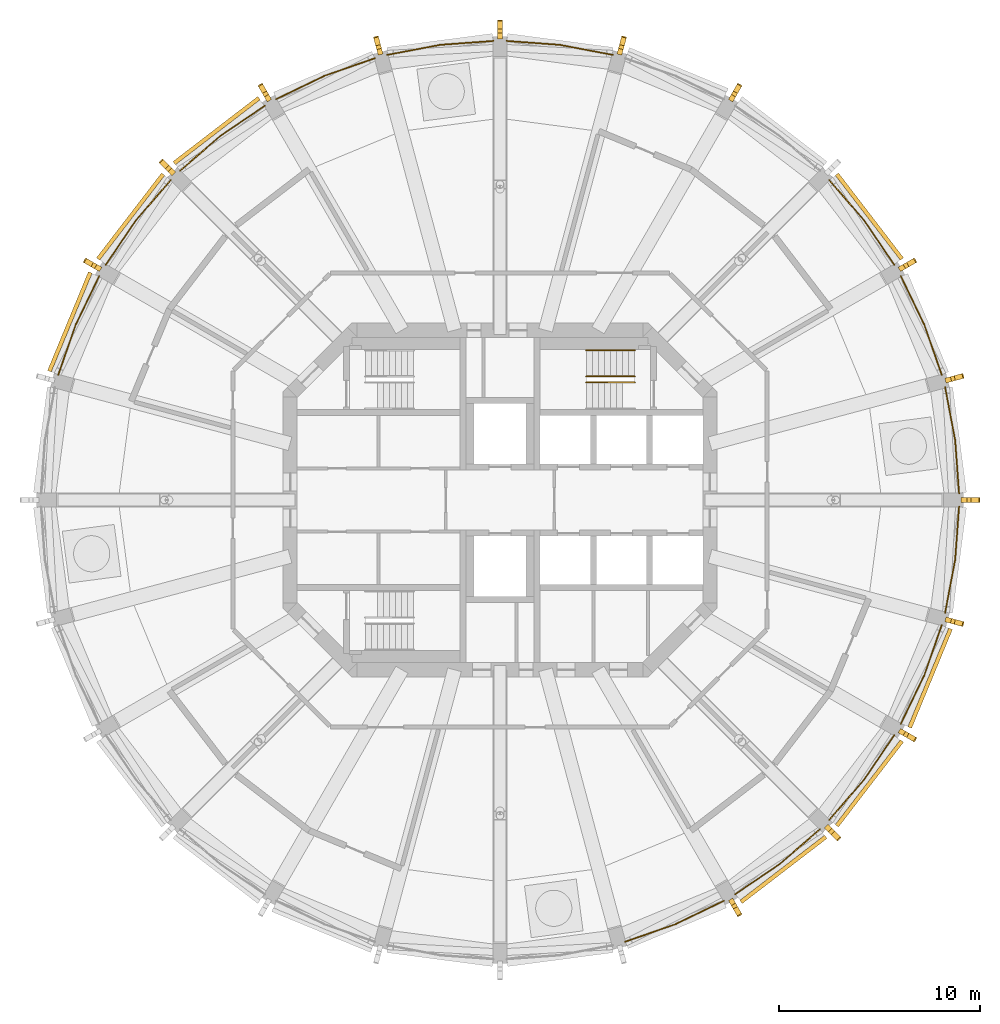
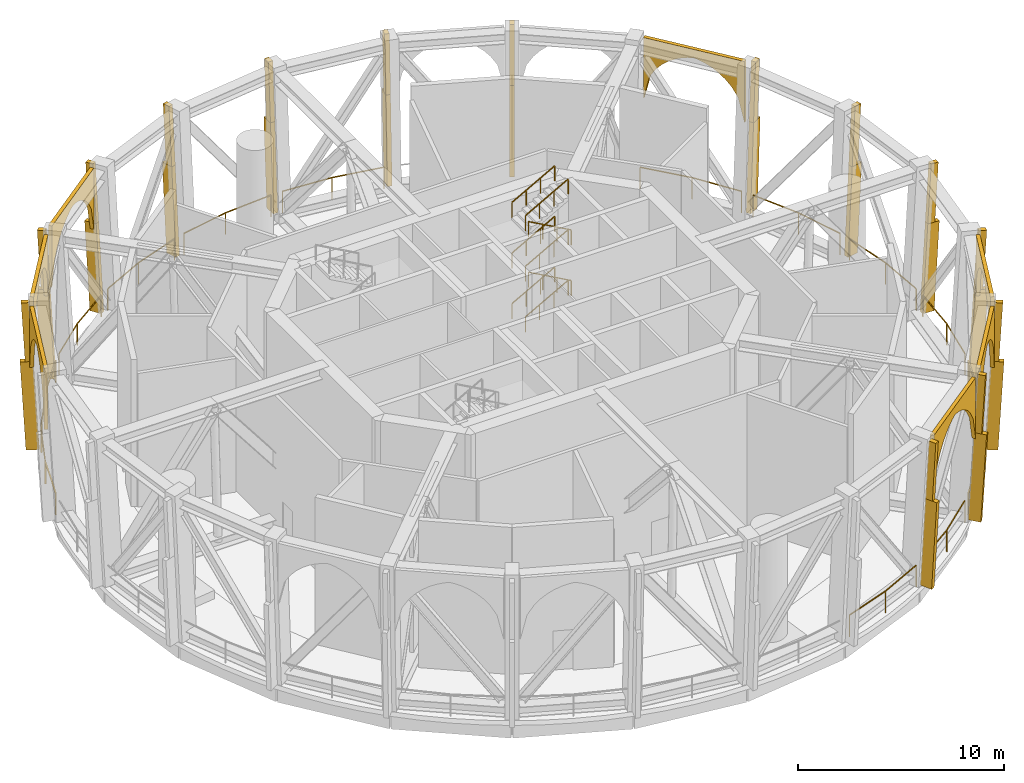
# One storey, part 10 of 12: 35 coverings, 22 railings.
"""IFC4 building model written with IfcOpenShell, lengths in metres."""

from ifc_helpers import new_model, si_unit, direction, frame, origin, origin_2d, place, context, subcontext, project, spatial, polyline, rectangle, outline, extrude, material, layer, layer_set, material_profile, profile_set, type_object, element, save


model = new_model("IFC4")

# Units and contexts
model_context = context("Model", 3, precision=1e-05, world=origin(), true_north=direction((0.0, 1.0)))
body_context = subcontext(model_context, "Body", "Model", "MODEL_VIEW")
ifc_project = project(units=[si_unit("LENGTHUNIT", "METRE"), si_unit("AREAUNIT", "SQUARE_METRE"), si_unit("VOLUMEUNIT", "CUBIC_METRE"), si_unit("PLANEANGLEUNIT", "RADIAN"), si_unit("MASSUNIT", "GRAM", prefix="KILO")], contexts=[model_context])

# Site, building, storey
site_placement = place(None, origin())
site = spatial("IfcSite", under=ifc_project, at=site_placement, CompositionType="ELEMENT")
building_placement = place(site_placement, origin())
building = spatial("IfcBuilding", under=site, at=building_placement, Name="Torre Triforio", CompositionType="ELEMENT")
storey_placement = place(building_placement, frame((0.0, 0.0, 183.800048828125)))
storey = spatial("IfcBuildingStorey", under=building, at=storey_placement, Name="L42", CompositionType="ELEMENT", Elevation=183.800048828125)

# Railings
ifc_material_1 = material(Name="Stainless steel AISI 316", Category="steel")
railing_type_1 = type_object("IfcRailingType", Name="HANDRAIL 920", PredefinedType="HANDRAIL", material=ifc_material_1)
for number, where, name in (
    (1, (4.300048828125, 7.449951171875, 1.66650390625), "Handrail ST2"),
    (2, (4.300048828125, 6.14990234375, 1.66650390625), "Handrail ST2"),
):
    element("IfcRailing", number, at=place(storey_placement, frame(where)), inside=storey, type_object=railing_type_1, Name=name, PredefinedType="HANDRAIL", context=body_context, shape_type="SweptSolid", body=[
        extrude(rectangle(XDim=0.048095703125, YDim=0.048095703125, at=origin_2d()), frame((0.0, 0.0, 0.89599609375), z_axis=(0.874123717778, 0.0, 0.485703331282), x_axis=(0.0, 1.0, 0.0)), (0.0, 0.0, 1.0), 2.74560546875),
        extrude(rectangle(XDim=0.0419921875, YDim=0.0419921875, at=origin_2d()), origin(), (0.0, 0.0, 1.0), 0.871826171875),
        extrude(rectangle(XDim=0.0419921875, YDim=0.0419921875, at=origin_2d()), frame((0.800048828125, 0.0, 0.444580078125)), (0.0, 0.0, 1.0), 0.871826171875),
        extrude(rectangle(XDim=0.0419921875, YDim=0.0419921875, at=origin_2d()), frame((1.599853515625, 0.0, 0.888916015625)), (0.0, 0.0, 1.0), 0.871826171875),
        extrude(rectangle(XDim=0.0419921875, YDim=0.0419921875, at=origin_2d()), frame((2.39990234375, 0.0, 1.33349609375)), (0.0, 0.0, 1.0), 0.871826171875),
    ])
railing_1_placement = place(storey_placement, frame((6.699951171875, 5.85009765625, 3.16650390625)))
element("IfcRailing", 3, at=railing_1_placement, inside=storey, type_object=railing_type_1, Name="Handrail ST2", PredefinedType="HANDRAIL", context=body_context, shape_type="SweptSolid", body=[
    extrude(rectangle(XDim=0.048095703125, YDim=0.048095703125, at=origin_2d()), frame((0.0, 0.0, 0.89599609375), z_axis=(-0.874123717778, 0.0, 0.485703331282), x_axis=(0.0, -1.0, 0.0)), (0.0, 0.0, 1.0), 2.74560546875),
    extrude(rectangle(XDim=0.0419921875, YDim=0.0419921875, at=origin_2d()), origin(), (0.0, 0.0, 1.0), 0.871826171875),
    extrude(rectangle(XDim=0.0419921875, YDim=0.0419921875, at=origin_2d()), frame((-0.800048828125, 0.0, 0.444580078125)), (0.0, 0.0, 1.0), 0.871826171875),
    extrude(rectangle(XDim=0.0419921875, YDim=0.0419921875, at=origin_2d()), frame((-1.599853515625, 0.0, 0.888916015625)), (0.0, 0.0, 1.0), 0.871826171875),
    extrude(rectangle(XDim=0.0419921875, YDim=0.0419921875, at=origin_2d()), frame((-2.39990234375, 0.0, 1.33349609375)), (0.0, 0.0, 1.0), 0.871826171875),
])
for number, where, name in (
    (4, (4.300048828125, 7.449951171875, 4.66650390625), "Handrail ST2"),
    (5, (4.300048828125, 6.14990234375, 4.66650390625), "Handrail ST2"),
):
    element("IfcRailing", number, at=place(storey_placement, frame(where)), inside=storey, type_object=railing_type_1, Name=name, PredefinedType="HANDRAIL", context=body_context, shape_type="SweptSolid", body=[
        extrude(rectangle(XDim=0.048095703125, YDim=0.048095703125, at=origin_2d()), frame((0.0, 0.0, 0.89599609375), z_axis=(0.874123717778, 0.0, 0.485703331282), x_axis=(0.0, 1.0, 0.0)), (0.0, 0.0, 1.0), 2.74560546875),
        extrude(rectangle(XDim=0.0419921875, YDim=0.0419921875, at=origin_2d()), origin(), (0.0, 0.0, 1.0), 0.871826171875),
        extrude(rectangle(XDim=0.0419921875, YDim=0.0419921875, at=origin_2d()), frame((0.800048828125, 0.0, 0.444580078125)), (0.0, 0.0, 1.0), 0.871826171875),
        extrude(rectangle(XDim=0.0419921875, YDim=0.0419921875, at=origin_2d()), frame((1.599853515625, 0.0, 0.888916015625)), (0.0, 0.0, 1.0), 0.871826171875),
        extrude(rectangle(XDim=0.0419921875, YDim=0.0419921875, at=origin_2d()), frame((2.39990234375, 0.0, 1.33349609375)), (0.0, 0.0, 1.0), 0.871826171875),
    ])
railing_2_placement = place(storey_placement, frame((6.699951171875, 5.85009765625, 6.16650390625)))
element("IfcRailing", 6, at=railing_2_placement, inside=storey, type_object=railing_type_1, Name="Handrail ST2", PredefinedType="HANDRAIL", context=body_context, shape_type="SweptSolid", body=[
    extrude(rectangle(XDim=0.048095703125, YDim=0.048095703125, at=origin_2d()), frame((0.0, 0.0, 0.89599609375), z_axis=(-0.874123717778, 0.0, 0.485703331282), x_axis=(0.0, -1.0, 0.0)), (0.0, 0.0, 1.0), 2.74560546875),
    extrude(rectangle(XDim=0.0419921875, YDim=0.0419921875, at=origin_2d()), origin(), (0.0, 0.0, 1.0), 0.871826171875),
    extrude(rectangle(XDim=0.0419921875, YDim=0.0419921875, at=origin_2d()), frame((-0.800048828125, 0.0, 0.444580078125)), (0.0, 0.0, 1.0), 0.871826171875),
    extrude(rectangle(XDim=0.0419921875, YDim=0.0419921875, at=origin_2d()), frame((-1.599853515625, 0.0, 0.888916015625)), (0.0, 0.0, 1.0), 0.871826171875),
    extrude(rectangle(XDim=0.0419921875, YDim=0.0419921875, at=origin_2d()), frame((-2.39990234375, 0.0, 1.33349609375)), (0.0, 0.0, 1.0), 0.871826171875),
])
for number, where, name in (
    (7, (4.300048828125, 7.449951171875, 7.66650390625), "Handrail ST2"),
    (8, (4.300048828125, 6.14990234375, 7.66650390625), "Handrail ST2"),
):
    element("IfcRailing", number, at=place(storey_placement, frame(where)), inside=storey, type_object=railing_type_1, Name=name, PredefinedType="HANDRAIL", context=body_context, shape_type="SweptSolid", body=[
        extrude(rectangle(XDim=0.048095703125, YDim=0.048095703125, at=origin_2d()), frame((0.0, 0.0, 0.89599609375), z_axis=(0.874123717778, 0.0, 0.485703331282), x_axis=(0.0, 1.0, 0.0)), (0.0, 0.0, 1.0), 2.74560546875),
        extrude(rectangle(XDim=0.0419921875, YDim=0.0419921875, at=origin_2d()), origin(), (0.0, 0.0, 1.0), 0.871826171875),
        extrude(rectangle(XDim=0.0419921875, YDim=0.0419921875, at=origin_2d()), frame((0.800048828125, 0.0, 0.444580078125)), (0.0, 0.0, 1.0), 0.871826171875),
        extrude(rectangle(XDim=0.0419921875, YDim=0.0419921875, at=origin_2d()), frame((1.599853515625, 0.0, 0.888916015625)), (0.0, 0.0, 1.0), 0.871826171875),
        extrude(rectangle(XDim=0.0419921875, YDim=0.0419921875, at=origin_2d()), frame((2.39990234375, 0.0, 1.33349609375)), (0.0, 0.0, 1.0), 0.871826171875),
    ])

# Coverings
ifc_material_2 = material(Name="Limestone arch panel", Category="masonry")
ifc_layer = layer(ifc_material_2, 0.199951171875)
ifc_layer_set = layer_set([ifc_layer], Name="Limestone arch panel")
covering_type_1 = type_object("IfcCoveringType", Name="Lancet arch cladding panel 200", PredefinedType="CLADDING", material=ifc_layer_set)
for number, where, z_axis, x_axis, name in (
    (9, (18.305908203125, 14.046630859375, 0.0), (0.793213368033, 0.608943800998, 0.0), (-0.608943800998, 0.793213368033, 0.0), "Lancet arch panel L42 bay 03"),
    (10, (-14.046630859375, 18.305908203125, 0.0), (-0.608943800998, 0.793213368033, 0.0), (-0.793213368033, -0.608943800998, 0.0), "Lancet arch panel L42 bay 09"),
    (11, (-18.305908203125, 14.046630859375, 0.0), (-0.793213368033, 0.608943800998, 0.0), (-0.608943800998, -0.793213368033, 0.0), "Lancet arch panel L42 bay 10"),
    (12, (-21.317626953125, 8.830078125, 0.0), (-0.924120904221, 0.382100188932, 0.0), (-0.382100188932, -0.924120904221, 0.0), "Lancet arch panel L42 bay 11"),
    (13, (14.046630859375, -18.305908203125, 0.0), (0.608943800998, -0.793213368033, 0.0), (0.793213368033, 0.608943800998, 0.0), "Lancet arch panel L42 bay 21"),
    (14, (18.305908203125, -14.046630859375, 0.0), (0.793213368033, -0.608943800998, 0.0), (0.608943800998, 0.793213368033, 0.0), "Lancet arch panel L42 bay 22"),
    (15, (21.317626953125, -8.830078125, 0.0), (0.924120904221, -0.382100188932, 0.0), (0.382100188932, 0.924120904221, 0.0), "Lancet arch panel L42 bay 23"),
):
    element("IfcCovering", number, at=place(storey_placement, frame(where, z_axis=z_axis, x_axis=x_axis)), inside=storey, type_object=covering_type_1, Name=name, PredefinedType="CLADDING", context=body_context, shape_type="SweptSolid", body=[
        extrude(outline(polyline([(-2.65869140625, 8.719970703125), (-2.65869140625, 5.082763671875), (-2.326416015625, 6.498046875), (-1.994140625, 7.028564453125), (-1.66162109375, 7.395263671875), (-1.329345703125, 7.6689453125), (-0.9970703125, 7.877197265625), (-0.664794921875, 8.033447265625), (-0.332275390625, 8.146240234375), (0.0, 8.219970703125), (0.332275390625, 8.146240234375), (0.664794921875, 8.033447265625), (0.9970703125, 7.877197265625), (1.329345703125, 7.6689453125), (1.66162109375, 7.395263671875), (1.994140625, 7.028564453125), (2.326416015625, 6.498046875), (2.65869140625, 5.082763671875), (2.65869140625, 8.719970703125), (-2.65869140625, 8.719970703125)])), origin(), (0.0, 0.0, 1.0), 0.199951171875),
    ])

# Railings
railing_type_2 = type_object("IfcRailingType", Name="Loggia guard 1300", PredefinedType="GUARDRAIL", material=ifc_material_1)
railing_3_placement = place(storey_placement, frame((22.85009765625, 0.320068359375, 0.0)))
element("IfcRailing", 16, at=railing_3_placement, inside=storey, type_object=railing_type_2, Name="Loggia guard L42 bay 01", PredefinedType="GUARDRAIL", context=body_context, shape_type="SweptSolid", body=[
    extrude(rectangle(XDim=0.050048828125, YDim=0.050048828125, at=origin_2d()), frame((0.0, 0.0, 1.27490234375), z_axis=(-0.073255194528, 0.997313228868, 0.0), x_axis=(-0.997313228868, -0.073255194528, 0.0)), (0.0, 0.0, 1.0), 2.66943359375),
    extrude(rectangle(XDim=0.050048828125, YDim=0.050048828125, at=origin_2d()), frame((-0.195556640625, 2.662353515625, 1.27490234375), z_axis=(-0.187368424401, 0.982289709575, 0.0), x_axis=(-0.982289709575, -0.187368424401, 0.0)), (0.0, 0.0, 1.0), 2.669921875),
    extrude(rectangle(XDim=0.0400390625, YDim=0.0400390625, at=origin_2d()), origin(), (0.0, 0.0, 1.0), 1.25),
    extrude(rectangle(XDim=0.0400390625, YDim=0.0400390625, at=origin_2d()), frame((-0.195556640625, 2.662353515625, 0.0)), (0.0, 0.0, 1.0), 1.25),
    extrude(rectangle(XDim=0.0400390625, YDim=0.0400390625, at=origin_2d()), frame((-0.69580078125, 5.284912109375, 0.0)), (0.0, 0.0, 1.0), 1.25),
])
railing_4_placement = place(storey_placement, frame((21.988525390625, 6.22314453125, 0.0)))
element("IfcRailing", 17, at=railing_4_placement, inside=storey, type_object=railing_type_2, Name="Loggia guard L42 bay 02", PredefinedType="GUARDRAIL", context=body_context, shape_type="SweptSolid", body=[
    extrude(rectangle(XDim=0.050048828125, YDim=0.050048828125, at=origin_2d()), frame((0.0, 0.0, 1.27490234375), z_axis=(-0.328846918852, 0.944383239984, 0.0), x_axis=(-0.944383239984, -0.328846918852, 0.0)), (0.0, 0.0, 1.0), 2.669677734375),
    extrude(rectangle(XDim=0.050048828125, YDim=0.050048828125, at=origin_2d()), frame((-0.8779296875, 2.521240234375, 1.27490234375), z_axis=(-0.435211903812, 0.900328050646, 0.0), x_axis=(-0.900328050646, -0.435211903812, 0.0)), (0.0, 0.0, 1.0), 2.669677734375),
    extrude(rectangle(XDim=0.0400390625, YDim=0.0400390625, at=origin_2d()), origin(), (0.0, 0.0, 1.0), 1.25),
    extrude(rectangle(XDim=0.0400390625, YDim=0.0400390625, at=origin_2d()), frame((-0.8779296875, 2.521240234375, 0.0)), (0.0, 0.0, 1.0), 1.25),
    extrude(rectangle(XDim=0.0400390625, YDim=0.0400390625, at=origin_2d()), frame((-2.039794921875, 4.9248046875, 0.0)), (0.0, 0.0, 1.0), 1.25),
])
railing_5_placement = place(storey_placement, frame((19.628662109375, 11.7021484375, 0.0)))
element("IfcRailing", 18, at=railing_5_placement, inside=storey, type_object=railing_type_2, Name="Loggia guard L42 bay 03", PredefinedType="GUARDRAIL", context=body_context, shape_type="SweptSolid", body=[
    extrude(rectangle(XDim=0.050048828125, YDim=0.050048828125, at=origin_2d()), frame((0.0, 0.0, 1.27490234375), z_axis=(-0.562064856935, 0.827093160774, 0.0), x_axis=(-0.827093160774, -0.562064856935, 0.0)), (0.0, 0.0, 1.0), 2.669677734375),
    extrude(rectangle(XDim=0.050048828125, YDim=0.050048828125, at=origin_2d()), frame((-1.50048828125, 2.2080078125, 1.27490234375), z_axis=(-0.653400799038, 0.757012150376, 0.0), x_axis=(-0.757012150376, -0.653400799038, 0.0)), (0.0, 0.0, 1.0), 2.669677734375),
    extrude(rectangle(XDim=0.0400390625, YDim=0.0400390625, at=origin_2d()), origin(), (0.0, 0.0, 1.0), 1.25),
    extrude(rectangle(XDim=0.0400390625, YDim=0.0400390625, at=origin_2d()), frame((-1.50048828125, 2.2080078125, 0.0)), (0.0, 0.0, 1.0), 1.25),
    extrude(rectangle(XDim=0.0400390625, YDim=0.0400390625, at=origin_2d()), frame((-3.244873046875, 4.22900390625, 0.0)), (0.0, 0.0, 1.0), 1.25),
])
railing_6_placement = place(storey_placement, frame((5.60498046875, 22.154296875, 0.0)))
element("IfcRailing", 19, at=railing_6_placement, inside=storey, type_object=railing_type_2, Name="Loggia guard L42 bay 06", PredefinedType="GUARDRAIL", context=body_context, shape_type="SweptSolid", body=[
    extrude(rectangle(XDim=0.050048828125, YDim=0.050048828125, at=origin_2d()), frame((0.0, 0.0, 1.27490234375), z_axis=(-0.982289709575, 0.187368424401, 0.0), x_axis=(-0.187368424401, -0.982289709575, 0.0)), (0.0, 0.0, 1.0), 2.669921875),
    extrude(rectangle(XDim=0.050048828125, YDim=0.050048828125, at=origin_2d()), frame((-2.62255859375, 0.500244140625, 1.27490234375), z_axis=(-0.997313228868, 0.073255194528, 0.0), x_axis=(-0.073255194528, -0.997313228868, 0.0)), (0.0, 0.0, 1.0), 2.66943359375),
    extrude(rectangle(XDim=0.0400390625, YDim=0.0400390625, at=origin_2d()), origin(), (0.0, 0.0, 1.0), 1.25),
    extrude(rectangle(XDim=0.0400390625, YDim=0.0400390625, at=origin_2d()), frame((-2.62255859375, 0.500244140625, 0.0)), (0.0, 0.0, 1.0), 1.25),
    extrude(rectangle(XDim=0.0400390625, YDim=0.0400390625, at=origin_2d()), frame((-5.284912109375, 0.69580078125, 0.0)), (0.0, 0.0, 1.0), 1.25),
])
railing_7_placement = place(storey_placement, frame((-0.320068359375, 22.85009765625, 0.0)))
element("IfcRailing", 20, at=railing_7_placement, inside=storey, type_object=railing_type_2, Name="Loggia guard L42 bay 07", PredefinedType="GUARDRAIL", context=body_context, shape_type="SweptSolid", body=[
    extrude(rectangle(XDim=0.050048828125, YDim=0.050048828125, at=origin_2d()), frame((0.0, 0.0, 1.27490234375), z_axis=(-0.997313228868, -0.073255194528, 0.0), x_axis=(0.073255194528, -0.997313228868, 0.0)), (0.0, 0.0, 1.0), 2.66943359375),
    extrude(rectangle(XDim=0.050048828125, YDim=0.050048828125, at=origin_2d()), frame((-2.662353515625, -0.195556640625, 1.27490234375), z_axis=(-0.982289709575, -0.187368424401, 0.0), x_axis=(0.187368424401, -0.982289709575, 0.0)), (0.0, 0.0, 1.0), 2.669921875),
    extrude(rectangle(XDim=0.0400390625, YDim=0.0400390625, at=origin_2d()), origin(), (0.0, 0.0, 1.0), 1.25),
    extrude(rectangle(XDim=0.0400390625, YDim=0.0400390625, at=origin_2d()), frame((-2.662353515625, -0.195556640625, 0.0)), (0.0, 0.0, 1.0), 1.25),
    extrude(rectangle(XDim=0.0400390625, YDim=0.0400390625, at=origin_2d()), frame((-5.284912109375, -0.69580078125, 0.0)), (0.0, 0.0, 1.0), 1.25),
])
railing_8_placement = place(storey_placement, frame((-6.22314453125, 21.988525390625, 0.0)))
element("IfcRailing", 21, at=railing_8_placement, inside=storey, type_object=railing_type_2, Name="Loggia guard L42 bay 08", PredefinedType="GUARDRAIL", context=body_context, shape_type="SweptSolid", body=[
    extrude(rectangle(XDim=0.050048828125, YDim=0.050048828125, at=origin_2d()), frame((0.0, 0.0, 1.27490234375), z_axis=(-0.944383239984, -0.328846918852, 0.0), x_axis=(0.328846918852, -0.944383239984, 0.0)), (0.0, 0.0, 1.0), 2.669677734375),
    extrude(rectangle(XDim=0.050048828125, YDim=0.050048828125, at=origin_2d()), frame((-2.521240234375, -0.8779296875, 1.27490234375), z_axis=(-0.900328050646, -0.435211903812, 0.0), x_axis=(0.435211903812, -0.900328050646, 0.0)), (0.0, 0.0, 1.0), 2.669677734375),
    extrude(rectangle(XDim=0.0400390625, YDim=0.0400390625, at=origin_2d()), origin(), (0.0, 0.0, 1.0), 1.25),
    extrude(rectangle(XDim=0.0400390625, YDim=0.0400390625, at=origin_2d()), frame((-2.521240234375, -0.8779296875, 0.0)), (0.0, 0.0, 1.0), 1.25),
    extrude(rectangle(XDim=0.0400390625, YDim=0.0400390625, at=origin_2d()), frame((-4.9248046875, -2.039794921875, 0.0)), (0.0, 0.0, 1.0), 1.25),
])
railing_9_placement = place(storey_placement, frame((-11.7021484375, 19.628662109375, 0.0)))
element("IfcRailing", 22, at=railing_9_placement, inside=storey, type_object=railing_type_2, Name="Loggia guard L42 bay 09", PredefinedType="GUARDRAIL", context=body_context, shape_type="SweptSolid", body=[
    extrude(rectangle(XDim=0.050048828125, YDim=0.050048828125, at=origin_2d()), frame((0.0, 0.0, 1.27490234375), z_axis=(-0.827093160774, -0.562064856935, 0.0), x_axis=(0.562064856935, -0.827093160774, 0.0)), (0.0, 0.0, 1.0), 2.669677734375),
    extrude(rectangle(XDim=0.050048828125, YDim=0.050048828125, at=origin_2d()), frame((-2.2080078125, -1.50048828125, 1.27490234375), z_axis=(-0.757012150376, -0.653400799038, 0.0), x_axis=(0.653400799038, -0.757012150376, 0.0)), (0.0, 0.0, 1.0), 2.669677734375),
    extrude(rectangle(XDim=0.0400390625, YDim=0.0400390625, at=origin_2d()), origin(), (0.0, 0.0, 1.0), 1.25),
    extrude(rectangle(XDim=0.0400390625, YDim=0.0400390625, at=origin_2d()), frame((-2.2080078125, -1.50048828125, 0.0)), (0.0, 0.0, 1.0), 1.25),
    extrude(rectangle(XDim=0.0400390625, YDim=0.0400390625, at=origin_2d()), frame((-4.22900390625, -3.244873046875, 0.0)), (0.0, 0.0, 1.0), 1.25),
])
railing_10_placement = place(storey_placement, frame((-16.3837890625, 15.93115234375, 0.0)))
element("IfcRailing", 23, at=railing_10_placement, inside=storey, type_object=railing_type_2, Name="Loggia guard L42 bay 10", PredefinedType="GUARDRAIL", context=body_context, shape_type="SweptSolid", body=[
    extrude(rectangle(XDim=0.050048828125, YDim=0.050048828125, at=origin_2d()), frame((0.0, 0.0, 1.27490234375), z_axis=(-0.653400799038, -0.757012150376, 0.0), x_axis=(0.757012150376, -0.653400799038, 0.0)), (0.0, 0.0, 1.0), 2.669677734375),
    extrude(rectangle(XDim=0.050048828125, YDim=0.050048828125, at=origin_2d()), frame((-1.744384765625, -2.02099609375, 1.27490234375), z_axis=(-0.562064856935, -0.827093160774, 0.0), x_axis=(0.827093160774, -0.562064856935, 0.0)), (0.0, 0.0, 1.0), 2.669677734375),
    extrude(rectangle(XDim=0.0400390625, YDim=0.0400390625, at=origin_2d()), origin(), (0.0, 0.0, 1.0), 1.25),
    extrude(rectangle(XDim=0.0400390625, YDim=0.0400390625, at=origin_2d()), frame((-1.744384765625, -2.02099609375, 0.0)), (0.0, 0.0, 1.0), 1.25),
    extrude(rectangle(XDim=0.0400390625, YDim=0.0400390625, at=origin_2d()), frame((-3.244873046875, -4.22900390625, 0.0)), (0.0, 0.0, 1.0), 1.25),
])
railing_11_placement = place(storey_placement, frame((-19.94873046875, 11.14794921875, 0.0)))
element("IfcRailing", 24, at=railing_11_placement, inside=storey, type_object=railing_type_2, Name="Loggia guard L42 bay 11", PredefinedType="GUARDRAIL", context=body_context, shape_type="SweptSolid", body=[
    extrude(rectangle(XDim=0.050048828125, YDim=0.050048828125, at=origin_2d()), frame((0.0, 0.0, 1.27490234375), z_axis=(-0.435211903812, -0.900328050646, 0.0), x_axis=(0.900328050646, -0.435211903812, 0.0)), (0.0, 0.0, 1.0), 2.669677734375),
    extrude(rectangle(XDim=0.050048828125, YDim=0.050048828125, at=origin_2d()), frame((-1.161865234375, -2.403564453125, 1.27490234375), z_axis=(-0.328846918852, -0.944383239984, 0.0), x_axis=(0.944383239984, -0.328846918852, 0.0)), (0.0, 0.0, 1.0), 2.669677734375),
    extrude(rectangle(XDim=0.0400390625, YDim=0.0400390625, at=origin_2d()), origin(), (0.0, 0.0, 1.0), 1.25),
    extrude(rectangle(XDim=0.0400390625, YDim=0.0400390625, at=origin_2d()), frame((-1.161865234375, -2.403564453125, 0.0)), (0.0, 0.0, 1.0), 1.25),
    extrude(rectangle(XDim=0.0400390625, YDim=0.0400390625, at=origin_2d()), frame((-2.039794921875, -4.9248046875, 0.0)), (0.0, 0.0, 1.0), 1.25),
])
railing_12_placement = place(storey_placement, frame((6.22314453125, -21.988525390625, 0.0)))
element("IfcRailing", 25, at=railing_12_placement, inside=storey, type_object=railing_type_2, Name="Loggia guard L42 bay 20", PredefinedType="GUARDRAIL", context=body_context, shape_type="SweptSolid", body=[
    extrude(rectangle(XDim=0.050048828125, YDim=0.050048828125, at=origin_2d()), frame((0.0, 0.0, 1.27490234375), z_axis=(0.944383239984, 0.328846918852, 0.0), x_axis=(-0.328846918852, 0.944383239984, 0.0)), (0.0, 0.0, 1.0), 2.669677734375),
    extrude(rectangle(XDim=0.050048828125, YDim=0.050048828125, at=origin_2d()), frame((2.521240234375, 0.8779296875, 1.27490234375), z_axis=(0.900328050646, 0.435211903812, 0.0), x_axis=(-0.435211903812, 0.900328050646, 0.0)), (0.0, 0.0, 1.0), 2.669677734375),
    extrude(rectangle(XDim=0.0400390625, YDim=0.0400390625, at=origin_2d()), origin(), (0.0, 0.0, 1.0), 1.25),
    extrude(rectangle(XDim=0.0400390625, YDim=0.0400390625, at=origin_2d()), frame((2.521240234375, 0.8779296875, 0.0)), (0.0, 0.0, 1.0), 1.25),
    extrude(rectangle(XDim=0.0400390625, YDim=0.0400390625, at=origin_2d()), frame((4.9248046875, 2.039794921875, 0.0)), (0.0, 0.0, 1.0), 1.25),
])
railing_13_placement = place(storey_placement, frame((11.7021484375, -19.628662109375, 0.0)))
element("IfcRailing", 26, at=railing_13_placement, inside=storey, type_object=railing_type_2, Name="Loggia guard L42 bay 21", PredefinedType="GUARDRAIL", context=body_context, shape_type="SweptSolid", body=[
    extrude(rectangle(XDim=0.050048828125, YDim=0.050048828125, at=origin_2d()), frame((0.0, 0.0, 1.27490234375), z_axis=(0.827093160774, 0.562064856935, 0.0), x_axis=(-0.562064856935, 0.827093160774, 0.0)), (0.0, 0.0, 1.0), 2.669677734375),
    extrude(rectangle(XDim=0.050048828125, YDim=0.050048828125, at=origin_2d()), frame((2.2080078125, 1.50048828125, 1.27490234375), z_axis=(0.757012150376, 0.653400799038, 0.0), x_axis=(-0.653400799038, 0.757012150376, 0.0)), (0.0, 0.0, 1.0), 2.669677734375),
    extrude(rectangle(XDim=0.0400390625, YDim=0.0400390625, at=origin_2d()), origin(), (0.0, 0.0, 1.0), 1.25),
    extrude(rectangle(XDim=0.0400390625, YDim=0.0400390625, at=origin_2d()), frame((2.2080078125, 1.50048828125, 0.0)), (0.0, 0.0, 1.0), 1.25),
    extrude(rectangle(XDim=0.0400390625, YDim=0.0400390625, at=origin_2d()), frame((4.22900390625, 3.244873046875, 0.0)), (0.0, 0.0, 1.0), 1.25),
])
railing_14_placement = place(storey_placement, frame((16.3837890625, -15.93115234375, 0.0)))
element("IfcRailing", 27, at=railing_14_placement, inside=storey, type_object=railing_type_2, Name="Loggia guard L42 bay 22", PredefinedType="GUARDRAIL", context=body_context, shape_type="SweptSolid", body=[
    extrude(rectangle(XDim=0.050048828125, YDim=0.050048828125, at=origin_2d()), frame((0.0, 0.0, 1.27490234375), z_axis=(0.653400799038, 0.757012150376, 0.0), x_axis=(-0.757012150376, 0.653400799038, 0.0)), (0.0, 0.0, 1.0), 2.669677734375),
    extrude(rectangle(XDim=0.050048828125, YDim=0.050048828125, at=origin_2d()), frame((1.744384765625, 2.02099609375, 1.27490234375), z_axis=(0.562064856935, 0.827093160774, 0.0), x_axis=(-0.827093160774, 0.562064856935, 0.0)), (0.0, 0.0, 1.0), 2.669677734375),
    extrude(rectangle(XDim=0.0400390625, YDim=0.0400390625, at=origin_2d()), origin(), (0.0, 0.0, 1.0), 1.25),
    extrude(rectangle(XDim=0.0400390625, YDim=0.0400390625, at=origin_2d()), frame((1.744384765625, 2.02099609375, 0.0)), (0.0, 0.0, 1.0), 1.25),
    extrude(rectangle(XDim=0.0400390625, YDim=0.0400390625, at=origin_2d()), frame((3.244873046875, 4.22900390625, 0.0)), (0.0, 0.0, 1.0), 1.25),
])
railing_15_placement = place(storey_placement, frame((19.94873046875, -11.14794921875, 0.0)))
element("IfcRailing", 28, at=railing_15_placement, inside=storey, type_object=railing_type_2, Name="Loggia guard L42 bay 23", PredefinedType="GUARDRAIL", context=body_context, shape_type="SweptSolid", body=[
    extrude(rectangle(XDim=0.050048828125, YDim=0.050048828125, at=origin_2d()), frame((0.0, 0.0, 1.27490234375), z_axis=(0.435211903812, 0.900328050646, 0.0), x_axis=(-0.900328050646, 0.435211903812, 0.0)), (0.0, 0.0, 1.0), 2.669677734375),
    extrude(rectangle(XDim=0.050048828125, YDim=0.050048828125, at=origin_2d()), frame((1.161865234375, 2.403564453125, 1.27490234375), z_axis=(0.328846918852, 0.944383239984, 0.0), x_axis=(-0.944383239984, 0.328846918852, 0.0)), (0.0, 0.0, 1.0), 2.669677734375),
    extrude(rectangle(XDim=0.0400390625, YDim=0.0400390625, at=origin_2d()), origin(), (0.0, 0.0, 1.0), 1.25),
    extrude(rectangle(XDim=0.0400390625, YDim=0.0400390625, at=origin_2d()), frame((1.161865234375, 2.403564453125, 0.0)), (0.0, 0.0, 1.0), 1.25),
    extrude(rectangle(XDim=0.0400390625, YDim=0.0400390625, at=origin_2d()), frame((2.039794921875, 4.9248046875, 0.0)), (0.0, 0.0, 1.0), 1.25),
])
railing_16_placement = place(storey_placement, frame((22.154296875, -5.60498046875, 0.0)))
element("IfcRailing", 29, at=railing_16_placement, inside=storey, type_object=railing_type_2, Name="Loggia guard L42 bay 24", PredefinedType="GUARDRAIL", context=body_context, shape_type="SweptSolid", body=[
    extrude(rectangle(XDim=0.050048828125, YDim=0.050048828125, at=origin_2d()), frame((0.0, 0.0, 1.27490234375), z_axis=(0.187368424401, 0.982289709575, 0.0), x_axis=(-0.982289709575, 0.187368424401, 0.0)), (0.0, 0.0, 1.0), 2.669921875),
    extrude(rectangle(XDim=0.050048828125, YDim=0.050048828125, at=origin_2d()), frame((0.500244140625, 2.62255859375, 1.27490234375), z_axis=(0.073255194528, 0.997313228868, 0.0), x_axis=(-0.997313228868, 0.073255194528, 0.0)), (0.0, 0.0, 1.0), 2.66943359375),
    extrude(rectangle(XDim=0.0400390625, YDim=0.0400390625, at=origin_2d()), origin(), (0.0, 0.0, 1.0), 1.25),
    extrude(rectangle(XDim=0.0400390625, YDim=0.0400390625, at=origin_2d()), frame((0.500244140625, 2.62255859375, 0.0)), (0.0, 0.0, 1.0), 1.25),
    extrude(rectangle(XDim=0.0400390625, YDim=0.0400390625, at=origin_2d()), frame((0.69580078125, 5.284912109375, 0.0)), (0.0, 0.0, 1.0), 1.25),
])

# Coverings
ifc_material_3 = material(Name="Limestone fin", Category="masonry")
ifc_material_profile_1 = material_profile(ifc_material_3, rectangle(XDim=0.39990234375, YDim=0.25, at=origin_2d()), Name="FIN 400x250")
ifc_profile_set_1 = profile_set([ifc_material_profile_1], Name="Limestone fin")
covering_type_2 = type_object("IfcCoveringType", Name="Stone fin 400 x 250", PredefinedType="CLADDING", material=ifc_profile_set_1)
for number, where, z_axis, x_axis, name in (
    (30, (23.441650390625, 0.0, 5.23193359375), (0.055489372619, 0.0, 0.998459277851), (-0.998459277851, 0.0, 0.055489372619), "Stone fin C01 L42 upper"),
    (31, (22.642822265625, 6.067138671875, 5.23193359375), (0.053602470376, 0.014326605511, 0.998459575318), (-0.96460025746, -0.257813628135, 0.055484019825), "Stone fin C02 L42 upper"),
    (32, (20.301025390625, 11.720703125, 5.23193359375), (0.048081410785, 0.027744651281, 0.998458017276), (-0.864808086683, -0.49902443374, 0.055512050384), "Stone fin C03 L42 upper"),
    (33, (11.720703125, 20.301025390625, 5.23193359375), (0.027744651281, 0.048081410785, 0.998458017276), (-0.49902443374, -0.864808086683, 0.055512050384), "Stone fin C05 L42 upper"),
    (34, (6.067138671875, 22.642822265625, 5.23193359375), (0.014326605511, 0.053602470376, 0.998459575318), (-0.257813628135, -0.96460025746, 0.055484019825), "Stone fin C06 L42 upper"),
    (35, (0.0, 23.441650390625, 5.23193359375), (0.0, 0.055489372619, 0.998459277851), (0.0, -0.998459277851, 0.055489372619), "Stone fin C07 L42 upper"),
    (36, (-6.067138671875, 22.642822265625, 5.23193359375), (-0.014326605511, 0.053602470376, 0.998459575318), (0.257813628135, -0.96460025746, 0.055484019825), "Stone fin C08 L42 upper"),
    (37, (-11.720703125, 20.301025390625, 5.23193359375), (-0.027744651281, 0.048081410785, 0.998458017276), (0.49902443374, -0.864808086683, 0.055512050384), "Stone fin C09 L42 upper"),
    (38, (-16.57568359375, 16.57568359375, 5.23193359375), (-0.039275733082, 0.039275733082, 0.99845622517), (0.706015167536, -0.706015167536, 0.055544274397), "Stone fin C10 L42 upper"),
    (39, (-20.301025390625, 11.720703125, 5.23193359375), (-0.048081410785, 0.027744651281, 0.998458017276), (0.864808086683, -0.49902443374, 0.055512050384), "Stone fin C11 L42 upper"),
    (40, (11.720703125, -20.301025390625, 5.23193359375), (0.027744651281, -0.048081410785, 0.998458017276), (-0.49902443374, 0.864808086683, 0.055512050384), "Stone fin C21 L42 upper"),
    (41, (16.57568359375, -16.57568359375, 5.23193359375), (0.039275733082, -0.039275733082, 0.99845622517), (-0.706015167536, 0.706015167536, 0.055544274397), "Stone fin C22 L42 upper"),
    (42, (20.301025390625, -11.720703125, 5.23193359375), (0.048081410785, -0.027744651281, 0.998458017276), (-0.864808086683, 0.49902443374, 0.055512050384), "Stone fin C23 L42 upper"),
    (43, (22.642822265625, -6.067138671875, 5.23193359375), (0.053602470376, -0.014326605511, 0.998459575318), (-0.96460025746, 0.257813628135, 0.055484019825), "Stone fin C24 L42 upper"),
):
    element("IfcCovering", number, at=place(storey_placement, frame(where, z_axis=z_axis, x_axis=x_axis)), inside=storey, type_object=covering_type_2, Name=name, PredefinedType="CLADDING", context=body_context, shape_type="SweptSolid", body=[
        extrude(rectangle(XDim=0.39990234375, YDim=0.25, at=origin_2d()), origin(), (0.0, 0.0, 1.0), 3.493408203125),
    ])
ifc_material_profile_2 = material_profile(ifc_material_3, rectangle(XDim=0.64990234375, YDim=0.25, at=origin_2d()), Name="FIN 650x250")
ifc_profile_set_2 = profile_set([ifc_material_profile_2], Name="Limestone fin")
covering_type_3 = type_object("IfcCoveringType", Name="Stone fin 650 x 250", PredefinedType="CLADDING", material=ifc_profile_set_2)
for number, where, z_axis, x_axis, name in (
    (44, (23.276123046875, 0.0, 0.0), (0.055490663299, 0.0, 0.99845920612), (-0.99845920612, 0.0, 0.055490663299), "Stone fin C01 L42"),
    (45, (22.483154296875, 6.0244140625, 0.0), (0.053580470328, 0.014350247705, 0.998460416637), (-0.964468379429, -0.258309792056, 0.055468877849), "Stone fin C02 L42"),
    (46, (20.15771484375, 11.63818359375, 0.0), (0.04803607615, 0.027722080804, 0.998460826284), (-0.86478254671, -0.499074311632, 0.05546150355), "Stone fin C03 L42"),
    (47, (11.63818359375, 20.15771484375, 0.0), (0.027722080804, 0.04803607615, 0.998460826284), (-0.499074311632, -0.86478254671, 0.05546150355), "Stone fin C05 L42"),
    (48, (6.0244140625, 22.483154296875, 0.0), (0.014350247705, 0.053580470328, 0.998460416637), (-0.258309792056, -0.964468379429, 0.055468877849), "Stone fin C06 L42"),
    (49, (0.0, 23.276123046875, 0.0), (0.0, 0.055490663299, 0.99845920612), (0.0, -0.99845920612, 0.055490663299), "Stone fin C07 L42"),
    (50, (-6.0244140625, 22.483154296875, 0.0), (-0.014350247705, 0.053580470328, 0.998460416637), (0.258309792056, -0.964468379429, 0.055468877849), "Stone fin C08 L42"),
    (51, (-11.63818359375, 20.15771484375, 0.0), (-0.027722080804, 0.04803607615, 0.998460826284), (0.499074311632, -0.86478254671, 0.05546150355), "Stone fin C09 L42"),
    (52, (-16.458740234375, 16.458740234375, 0.0), (-0.039230198608, 0.039230198608, 0.998459805418), (0.706017699153, -0.706017699153, 0.055479878926), "Stone fin C10 L42"),
    (53, (-20.15771484375, 11.63818359375, 0.0), (-0.04803607615, 0.027722080804, 0.998460826284), (0.86478254671, -0.499074311632, 0.05546150355), "Stone fin C11 L42"),
    (54, (11.63818359375, -20.15771484375, 0.0), (0.027722080804, -0.04803607615, 0.998460826284), (-0.499074311632, 0.86478254671, 0.05546150355), "Stone fin C21 L42"),
    (55, (16.458740234375, -16.458740234375, 0.0), (0.039230198608, -0.039230198608, 0.998459805418), (-0.706017699153, 0.706017699153, 0.055479878926), "Stone fin C22 L42"),
    (56, (20.15771484375, -11.63818359375, 0.0), (0.04803607615, -0.027722080804, 0.998460826284), (-0.86478254671, 0.499074311632, 0.05546150355), "Stone fin C23 L42"),
    (57, (22.483154296875, -6.0244140625, 0.0), (0.053580470328, -0.014350247705, 0.998460416637), (-0.964468379429, 0.258309792056, 0.055468877849), "Stone fin C24 L42"),
):
    element("IfcCovering", number, at=place(storey_placement, frame(where, z_axis=z_axis, x_axis=x_axis)), inside=storey, type_object=covering_type_3, Name=name, PredefinedType="CLADDING", context=body_context, shape_type="SweptSolid", body=[
        extrude(rectangle(XDim=0.64990234375, YDim=0.25, at=origin_2d()), origin(), (0.0, 0.0, 1.0), 5.239990234375),
    ])

save(model, "model.ifc")
